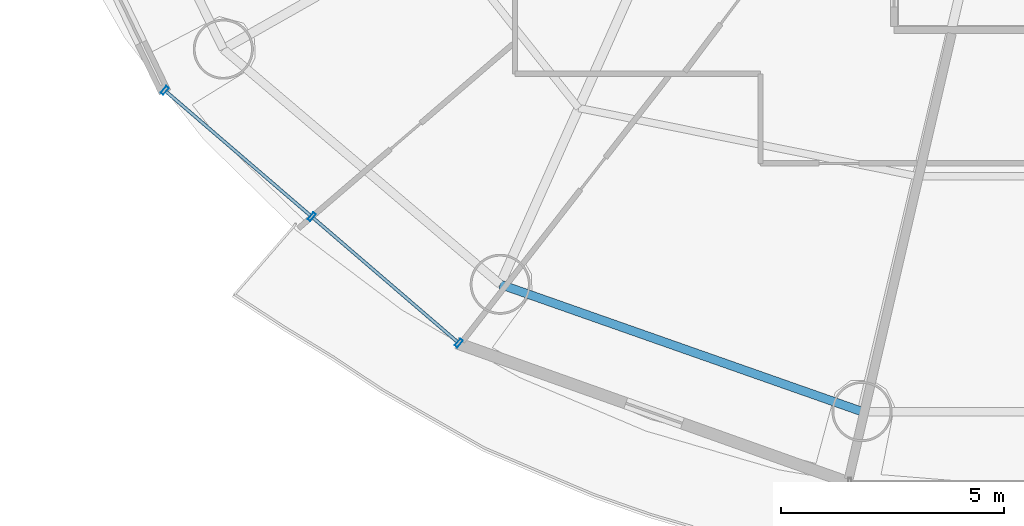
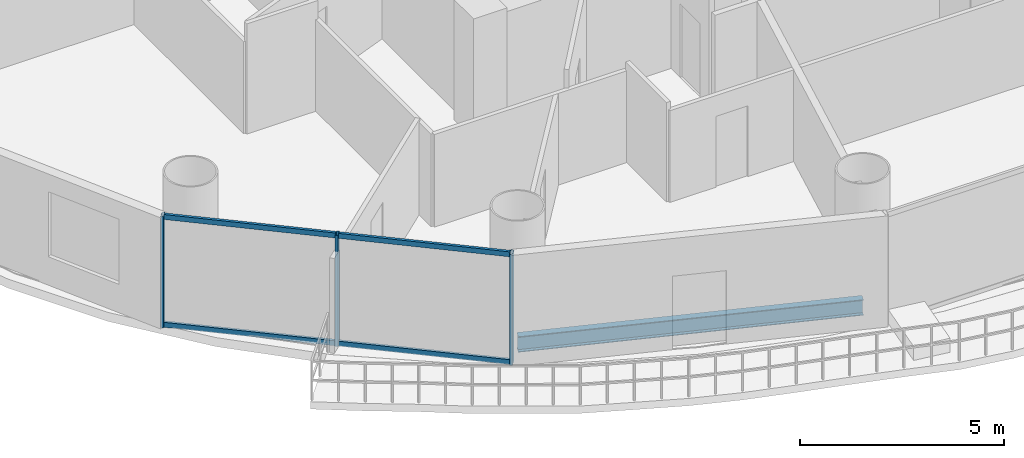
# One storey, part 2 of 26: 7 members, 1 beam, 1 element without a shape of its own.
"""IFC4 building model written with IfcOpenShell, lengths in metres."""

import ifcopenshell
import ifcopenshell.guid

model = None  # the IFC model being written
_history = None  # IfcOwnerHistory: only IFC2X3 demands one
_inside = {}  # id of a spatial element -> (the spatial element, [elements in it])
_under = {}  # id of a project, library or spatial element -> (it, [spatial elements below it])
_declared = {}  # id of a project -> (the project, [libraries it declares])
_typed = {}  # id of a type object -> (the type object, [elements of that type])
_made_of = {}  # id of a material, layer set ... -> (it, [elements and type objects made of it])


def new_model(schema):
    """Start an empty IFC model of exactly this schema.

    Asked for "IFC4X3", IfcOpenShell would pick the latest addendum, in which some entities
    have other attributes; the version numbers below select the first issue.
    IFC2X3 requires an IfcOwnerHistory on every rooted entity: one is made here for all.
    """
    global model, _history
    if schema == "IFC4X3":
        model = ifcopenshell.file(schema_version=(4, 3, 0, 0))
    else:
        model = ifcopenshell.file(schema=schema)
    _inside.clear()
    _under.clear()
    _declared.clear()
    _typed.clear()
    _made_of.clear()
    _history = None
    if model.schema == "IFC2X3":
        org = make("IfcOrganization", Name="unknown")
        user = make(
            "IfcPersonAndOrganization",
            ThePerson=make("IfcPerson", FamilyName="unknown"),
            TheOrganization=org,
        )
        app = make(
            "IfcApplication",
            ApplicationDeveloper=org,
            Version="unknown",
            ApplicationFullName="unknown",
            ApplicationIdentifier="unknown",
        )
        _history = make(
            "IfcOwnerHistory",
            OwningUser=user,
            OwningApplication=app,
            ChangeAction="ADDED",
            CreationDate=0,
        )
    return model


def make(cls, **values):
    """One entity of the class cls with the attributes given. An attribute that is None is left unset."""
    return model.create_entity(
        cls, **{name: value for name, value in values.items() if value is not None}
    )


def rooted(cls, **values):
    """An entity with a GlobalId (a new one), such as an element, a storey or a relation."""
    return make(cls, GlobalId=ifcopenshell.guid.new(), OwnerHistory=_history, **values)


def si_unit(unit_type, name, prefix=None):
    """IfcSIUnit, for example si_unit("LENGTHUNIT", "METRE", prefix="MILLI")."""
    return make("IfcSIUnit", UnitType=unit_type, Prefix=prefix, Name=name)


def assignment(units):
    """IfcUnitAssignment: the units of a project."""
    return None if units is None else make("IfcUnitAssignment", Units=units)


def point(xyz):
    """IfcCartesianPoint."""
    return None if xyz is None else make("IfcCartesianPoint", Coordinates=xyz)


def direction(xyz):
    """IfcDirection."""
    return None if xyz is None else make("IfcDirection", DirectionRatios=xyz)


def frame(location, z_axis=None, x_axis=None):
    """IfcAxis2Placement3D, a coordinate frame: its origin and axes. An axis left out is left unset."""
    return make(
        "IfcAxis2Placement3D",
        Location=point(location),
        Axis=direction(z_axis),
        RefDirection=direction(x_axis),
    )


def frame_2d(location, x_axis=None):
    """IfcAxis2Placement2D, a coordinate frame in the plane: its origin and x axis."""
    return make(
        "IfcAxis2Placement2D", Location=point(location), RefDirection=direction(x_axis)
    )


def origin():
    """The frame at (0, 0, 0) with its axes left unset."""
    return frame((0.0, 0.0, 0.0))


def origin_2d():
    """The frame at (0, 0) in the plane with its x axis left unset."""
    return frame_2d((0.0, 0.0))


def place(relative_to, where):
    """IfcLocalPlacement: puts the frame where relative to a parent placement (None: the world)."""
    return make(
        "IfcLocalPlacement", PlacementRelTo=relative_to, RelativePlacement=where
    )


def context(
    kind, dimensions, precision=None, world=None, true_north=None, identifier=None
):
    """IfcGeometricRepresentationContext, for example the 3D "Model" context."""
    return make(
        "IfcGeometricRepresentationContext",
        ContextIdentifier=identifier,
        ContextType=kind,
        CoordinateSpaceDimension=dimensions,
        Precision=precision,
        WorldCoordinateSystem=world,
        TrueNorth=true_north,
    )


def subcontext(parent, identifier, kind, view, scale=None):
    """IfcGeometricRepresentationSubContext, for example "Body" below "Model"."""
    return make(
        "IfcGeometricRepresentationSubContext",
        ContextIdentifier=identifier,
        ContextType=kind,
        ParentContext=parent,
        TargetScale=scale,
        TargetView=view,
    )


def project(units=None, contexts=None):
    """IfcProject with its units and contexts."""
    return rooted(
        "IfcProject",
        Name="project",
        RepresentationContexts=contexts,
        UnitsInContext=assignment(units),
    )


def spatial(cls, under=None, at=None, **own):
    """A site, building, storey or space (cls), placed at a placement, below another one or the project."""
    s = rooted(cls, ObjectPlacement=at, **own)
    if under is not None:
        _under.setdefault(under.id(), (under, []))[1].append(s)
    return s


def profile(cls, at=None, kind="AREA", **sizes):
    """A parametric profile (cls). Its sizes go by their IFC names, for example OverallWidth=200.0."""
    return make(cls, ProfileType=kind, Position=at, **sizes)


def hollow_rectangle(**sizes):
    """IfcRectangleHollowProfileDef."""
    return profile("IfcRectangleHollowProfileDef", **sizes)


def i_section(**sizes):
    """IfcIShapeProfileDef."""
    return profile("IfcIShapeProfileDef", **sizes)


def extrude(swept, where, along, depth):
    """IfcExtrudedAreaSolid: the profile swept, set in the frame where, extruded along a direction by depth."""
    return make(
        "IfcExtrudedAreaSolid",
        SweptArea=swept,
        Position=where,
        ExtrudedDirection=direction(along),
        Depth=depth,
    )


def shape(context_of_items, identifier, shape_type, items):
    """IfcShapeRepresentation: the items that make up one representation, for example the "Body"."""
    return make(
        "IfcShapeRepresentation",
        ContextOfItems=context_of_items,
        RepresentationIdentifier=identifier,
        RepresentationType=shape_type,
        Items=items,
    )


def source(mapping_origin, context_of_items, identifier, shape_type, items):
    """IfcRepresentationMap: a shape defined once, which mapped items show again and again."""
    return make(
        "IfcRepresentationMap",
        MappingOrigin=mapping_origin,
        MappedRepresentation=shape(context_of_items, identifier, shape_type, items),
    )


def transform(
    local_origin,
    x_axis=None,
    y_axis=None,
    z_axis=None,
    scale=None,
    scale2=None,
    scale3=None,
    uniform=True,
):
    """IfcCartesianTransformationOperator3D, or its non-uniform kind. x_axis, y_axis, z_axis: its Axis1, 2, 3."""
    if uniform:
        return make(
            "IfcCartesianTransformationOperator3D",
            Axis1=direction(x_axis),
            Axis2=direction(y_axis),
            LocalOrigin=point(local_origin),
            Scale=scale,
            Axis3=direction(z_axis),
        )
    return make(
        "IfcCartesianTransformationOperator3DnonUniform",
        Axis1=direction(x_axis),
        Axis2=direction(y_axis),
        LocalOrigin=point(local_origin),
        Scale=scale,
        Axis3=direction(z_axis),
        Scale2=scale2,
        Scale3=scale3,
    )


def mapped(mapping_source, mapping_target):
    """IfcMappedItem: shows the shape of a source again, moved by a transform."""
    return make(
        "IfcMappedItem", MappingSource=mapping_source, MappingTarget=mapping_target
    )


def material(Name=None, Category=None):
    """IfcMaterial."""
    return make("IfcMaterial", Name=Name, Category=Category)


def material_profile(
    of_material, cross_section, Name=None, Category=None, Priority=None
):
    """IfcMaterialProfile: a cross section and its material."""
    return make(
        "IfcMaterialProfile",
        Name=Name,
        Material=of_material,
        Profile=cross_section,
        Priority=Priority,
        Category=Category,
    )


def profile_set(profiles, Name=None, composite=None):
    """IfcMaterialProfileSet."""
    return make(
        "IfcMaterialProfileSet",
        Name=Name,
        MaterialProfiles=profiles,
        CompositeProfile=composite,
    )


def made_of(thing, what):
    """Note that an element or type object is made of a material, layer set ...; save() writes the relation."""
    if what is not None:
        _made_of.setdefault(what.id(), (what, []))[1].append(thing)
    return thing


def type_object(cls, material=None, **own):
    """A type object (cls), such as IfcWallType, which elements share."""
    return made_of(rooted(cls, **own), material)


def element(
    cls,
    number,
    at=None,
    inside=None,
    cuts=None,
    type_object=None,
    material=None,
    context=None,
    identifier="Body",
    shape_type=None,
    held_by="IfcProductDefinitionShape",
    body=None,
    shapes=None,
    **own,
):
    """One element of the class cls, such as IfcWall. Its Tag is "e" and its number.

    at: its placement. inside: the storey or other place that contains it. cuts: it is an
    opening in that element (IfcRelVoidsElement). A single representation is given by context,
    identifier, shape_type and body (its items); several are given by shapes. held_by: the class
    of the entity that holds the representations. save() writes the other relations.
    """
    e = rooted(cls, Tag="e%d" % number, ObjectPlacement=at, **own)
    if body is not None:
        shapes = [shape(context, identifier, shape_type, body)]
    if shapes is not None:
        e.Representation = make(held_by, Representations=shapes)
    if inside is not None:
        _inside.setdefault(inside.id(), (inside, []))[1].append(e)
    if cuts is not None:
        rooted(
            "IfcRelVoidsElement", RelatingBuildingElement=cuts, RelatedOpeningElement=e
        )
    if type_object is not None:
        _typed.setdefault(type_object.id(), (type_object, []))[1].append(e)
    return made_of(e, material)


def aggregate(whole, parts):
    """IfcRelAggregates: a whole, such as a stair, and the parts it consists of."""
    return rooted("IfcRelAggregates", RelatingObject=whole, RelatedObjects=parts)


def save(model, path):
    """Write the relations noted so far, then the file.

    IfcRelAggregates (storeys below a building ...), IfcRelContainedInSpatialStructure (elements
    in a storey), IfcRelDefinesByType, IfcRelAssociatesMaterial and IfcRelDeclares: one each for
    every whole, place, type object, material and project.
    """
    for whole, parts in _under.values():
        aggregate(whole, parts)
    for where, things in _inside.values():
        rooted(
            "IfcRelContainedInSpatialStructure",
            RelatedElements=things,
            RelatingStructure=where,
        )
    for kind, things in _typed.values():
        rooted("IfcRelDefinesByType", RelatedObjects=things, RelatingType=kind)
    for what, things in _made_of.values():
        rooted("IfcRelAssociatesMaterial", RelatedObjects=things, RelatingMaterial=what)
    for by, libraries in _declared.values():
        rooted("IfcRelDeclares", RelatingContext=by, RelatedDefinitions=libraries)
    model.write(path)


model = new_model("IFC4")

# Units and contexts
model_context = context("Model", 3, precision=1e-05, world=origin(), true_north=direction((-0.2419218956, 0.970295726276)))
body_context = subcontext(model_context, "Body", "Model", "MODEL_VIEW")
ifc_project = project(units=[si_unit("LENGTHUNIT", "METRE"), si_unit("AREAUNIT", "SQUARE_METRE"), si_unit("VOLUMEUNIT", "CUBIC_METRE"), si_unit("PLANEANGLEUNIT", "RADIAN"), si_unit("MASSUNIT", "GRAM", prefix="KILO")], contexts=[model_context])

# Site, building, storey
site_placement = place(None, origin())
site = spatial("IfcSite", under=ifc_project, at=site_placement, CompositionType="ELEMENT")
building_placement = place(site_placement, origin())
building = spatial("IfcBuilding", under=site, at=building_placement, Name="Cobrevalo Terracotta Tower", CompositionType="ELEMENT")
storey_placement = place(building_placement, frame((0.0, 0.0, 178.60009765625)))
storey = spatial("IfcBuildingStorey", under=building, at=storey_placement, Name="L47", CompositionType="ELEMENT", Elevation=178.60009765625)

# Beam
ifc_material_1 = material(Name="Steel S355", Category="steel")
ifc_material_profile_1 = material_profile(ifc_material_1, i_section(OverallWidth=0.194091796875, OverallDepth=0.468994140625, WebThickness=0.011474609375, FlangeThickness=0.0205078125, at=origin_2d()), Name="W 460x106")
ifc_profile_set_1 = profile_set([ifc_material_profile_1], Name="Steel S355")
beam_type = type_object("IfcBeamType", Name="Structural Spandrel W 460x106 (Steel S355)", PredefinedType="SPANDREL", material=ifc_profile_set_1)
beam_placement = place(storey_placement, frame((25.471923828125, 10.87744140625, -0.504638671875), z_axis=(0.943341298492, -0.331824041565, 0.0), x_axis=(0.331824041565, 0.943341298492, 0.0)))
element("IfcBeam", 1, at=beam_placement, inside=storey, type_object=beam_type, Name="L47 perimeter ring spandrel 11", PredefinedType="SPANDREL", context=body_context, shape_type="SweptSolid", body=[
    extrude(i_section(OverallWidth=0.194091796875, OverallDepth=0.468994140625, WebThickness=0.011474609375, FlangeThickness=0.0205078125, at=origin_2d()), origin(), (0.0, 0.0, 1.0), 8.6171875),
])

# Curtain wall, members
ifc_material_2 = material(Name="Anodized aluminium", Category="aluminium")
curtain_wall_type = type_object("IfcCurtainWallType", Name="Mid-tower high-wind unitised curtain wall CW-U2", PredefinedType="NOTDEFINED", material=ifc_material_2)
curtain_wall_placement = place(storey_placement, origin())
curtain_wall = element("IfcCurtainWall", 2, at=curtain_wall_placement, inside=storey, type_object=curtain_wall_type, Name="L47 curtain wall CW-L47-S10", PredefinedType="NOTDEFINED")
ifc_material_profile_2 = material_profile(ifc_material_2, hollow_rectangle(XDim=0.074951171875, YDim=0.14990234375, WallThickness=0.00439453125, at=origin_2d()), Name="CWT 75x150")
ifc_profile_set_2 = profile_set([ifc_material_profile_2], Name="Anodized aluminium")
member_type_1 = type_object("IfcMemberType", Name="Tower unitised aluminium transom 75x150", PredefinedType="USERDEFINED", material=ifc_profile_set_2)
shared_shape_1 = source(origin(), body_context, "Body", "SweptSolid", [
    extrude(hollow_rectangle(XDim=0.074951171875, YDim=0.14990234375, WallThickness=0.00439453125, at=origin_2d()), origin(), (0.0, 0.0, 1.0), 4.276123046875),
])
member_1_placement = place(storey_placement, frame((17.964111328125, 15.208740234375, 0.0498046875), z_axis=(0.758417719247, -0.651768795764, 0.0), x_axis=(0.651768795764, 0.758417719247, 0.0)))
member_1 = element("IfcMember", 3, at=member_1_placement, type_object=member_type_1, Name="CW-L47-S10 transom B01-T1", ObjectType="TRANSOM", PredefinedType="USERDEFINED", context=body_context, shape_type="MappedRepresentation", body=[
    mapped(shared_shape_1, transform((0.0, 0.0, 0.0), scale=1.0)),
])
member_2_placement = place(storey_placement, frame((17.964111328125, 15.208740234375, 3.27978515625), z_axis=(0.758417719247, -0.651768795764, 0.0), x_axis=(0.651768795764, 0.758417719247, 0.0)))
member_2 = element("IfcMember", 4, at=member_2_placement, type_object=member_type_1, Name="CW-L47-S10 transom B01-T2", ObjectType="TRANSOM", PredefinedType="USERDEFINED", context=body_context, shape_type="MappedRepresentation", body=[
    mapped(shared_shape_1, transform((0.0, 0.0, 0.0), scale=1.0)),
])
member_3_placement = place(storey_placement, frame((21.26806640625, 12.36962890625, 0.0498046875), z_axis=(0.758417719247, -0.651768795764, 0.0), x_axis=(0.651768795764, 0.758417719247, 0.0)))
member_3 = element("IfcMember", 5, at=member_3_placement, type_object=member_type_1, Name="CW-L47-S10 transom B02-T1", ObjectType="TRANSOM", PredefinedType="USERDEFINED", context=body_context, shape_type="MappedRepresentation", body=[
    mapped(shared_shape_1, transform((0.0, 0.0, 0.0), scale=1.0)),
])
member_4_placement = place(storey_placement, frame((21.26806640625, 12.36962890625, 3.27978515625), z_axis=(0.758417719247, -0.651768795764, 0.0), x_axis=(0.651768795764, 0.758417719247, 0.0)))
member_4 = element("IfcMember", 6, at=member_4_placement, type_object=member_type_1, Name="CW-L47-S10 transom B02-T2", ObjectType="TRANSOM", PredefinedType="USERDEFINED", context=body_context, shape_type="MappedRepresentation", body=[
    mapped(shared_shape_1, transform((0.0, 0.0, 0.0), scale=1.0)),
])
ifc_material_profile_3 = material_profile(ifc_material_2, hollow_rectangle(XDim=0.074951171875, YDim=0.199951171875, WallThickness=0.0048828125, at=origin_2d()), Name="CWM 75x200")
ifc_profile_set_3 = profile_set([ifc_material_profile_3], Name="Anodized aluminium")
member_type_2 = type_object("IfcMemberType", Name="Lower/mid tower unitised mullion 75x200", PredefinedType="MULLION", material=ifc_profile_set_3)
shared_shape_2 = source(origin(), body_context, "Body", "SweptSolid", [
    extrude(hollow_rectangle(XDim=0.074951171875, YDim=0.199951171875, WallThickness=0.0048828125, at=origin_2d()), origin(), (0.0, 0.0, 1.0), 3.329833984375),
])
member_5_placement = place(storey_placement, frame((17.933837890625, 15.234619140625, 0.0), z_axis=(0.0, 0.0, 1.0), x_axis=(0.758441546142, -0.65174106905, 0.0)))
member_5 = element("IfcMember", 7, at=member_5_placement, type_object=member_type_2, Name="CW-L47-S10 vertical mullion 01", PredefinedType="MULLION", context=body_context, shape_type="MappedRepresentation", body=[
    mapped(shared_shape_2, transform((0.0, 0.0, 0.0), scale=1.0)),
])
member_6_placement = place(storey_placement, frame((21.237548828125, 12.3955078125, 0.0), z_axis=(0.0, 0.0, 1.0), x_axis=(0.758441546142, -0.65174106905, 0.0)))
member_6 = element("IfcMember", 8, at=member_6_placement, type_object=member_type_2, Name="CW-L47-S10 vertical mullion 02", PredefinedType="MULLION", context=body_context, shape_type="MappedRepresentation", body=[
    mapped(shared_shape_2, transform((0.0, 0.0, 0.0), scale=1.0)),
])
member_7_placement = place(storey_placement, frame((24.54150390625, 9.556396484375, 0.0), z_axis=(0.0, 0.0, 1.0), x_axis=(0.758441546142, -0.65174106905, 0.0)))
member_7 = element("IfcMember", 9, at=member_7_placement, type_object=member_type_2, Name="CW-L47-S10 vertical mullion 03", PredefinedType="MULLION", context=body_context, shape_type="MappedRepresentation", body=[
    mapped(shared_shape_2, transform((0.0, 0.0, 0.0), scale=1.0)),
])
aggregate(curtain_wall, [member_5, member_6, member_7, member_1, member_2, member_3, member_4])

save(model, "model.ifc")
